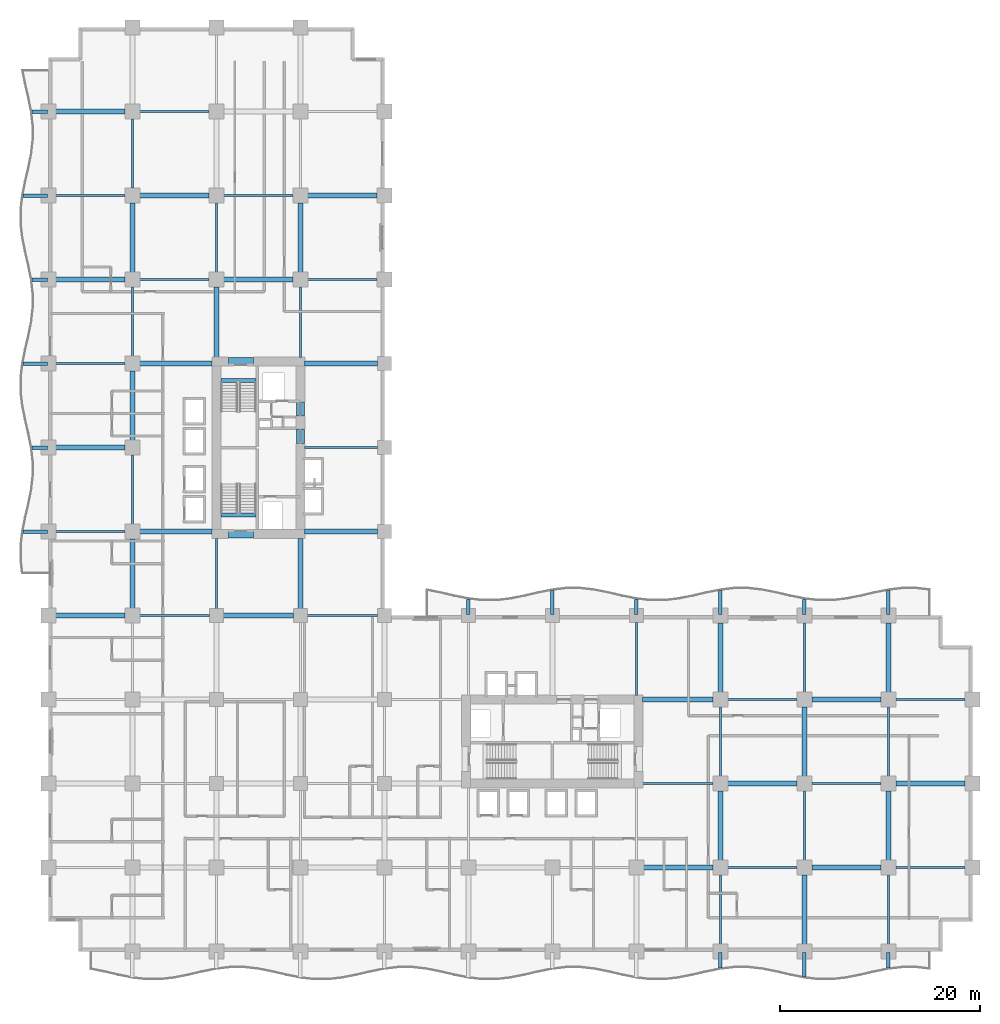
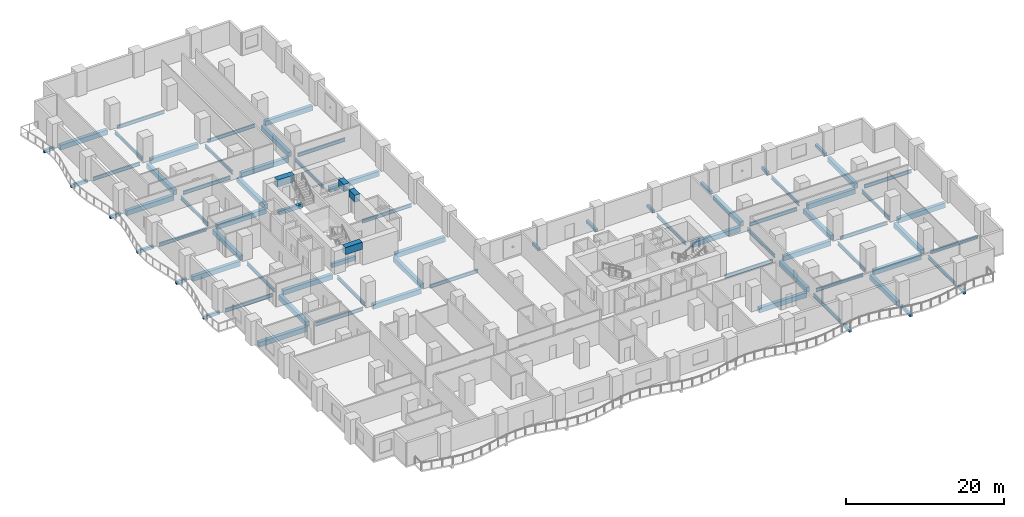
# One storey, part 2 of 20: 80 beams.
"""IFC4 building model written with IfcOpenShell, lengths in metres."""

from ifc_helpers import new_model, si_unit, direction, frame, origin, origin_2d, place, context, subcontext, project, spatial, rectangle, i_section, extrude, material, material_profile, profile_set, type_object, element, save


model = new_model("IFC4")

# Units and contexts
model_context = context("Model", 3, precision=1e-05, world=origin(), true_north=direction((0.0, 1.0)))
body_context = subcontext(model_context, "Body", "Model", "MODEL_VIEW")
ifc_project = project(units=[si_unit("LENGTHUNIT", "METRE"), si_unit("AREAUNIT", "SQUARE_METRE"), si_unit("VOLUMEUNIT", "CUBIC_METRE"), si_unit("PLANEANGLEUNIT", "RADIAN"), si_unit("MASSUNIT", "GRAM", prefix="KILO")], contexts=[model_context])

# Site, building, storey
site_placement = place(None, origin())
site = spatial("IfcSite", under=ifc_project, at=site_placement, CompositionType="ELEMENT")
building_placement = place(site_placement, origin())
building = spatial("IfcBuilding", under=site, at=building_placement, Name="Koriwani Terraces Tower", CompositionType="ELEMENT")
storey_placement = place(building_placement, frame((0.0, 0.0, 73.800048828125)))
storey = spatial("IfcBuildingStorey", under=building, at=storey_placement, Name="L17", CompositionType="ELEMENT", Elevation=73.800048828125)

# Beams
ifc_material_1 = material(Name="Concrete C40/50", Category="concrete")
ifc_material_profile_1 = material_profile(ifc_material_1, rectangle(XDim=0.35009765625, YDim=0.449951171875, at=origin_2d()), Name="Concrete C40/50", Category="LoadBearing")
ifc_profile_set_1 = profile_set([ifc_material_profile_1], Name="Concrete C40/50")
beam_type_1 = type_object("IfcBeamType", Name="BEAM_RC_BALCONY_RIB_350X450", PredefinedType="JOIST", material=ifc_profile_set_1)
beam_1_placement = place(storey_placement, frame((67.199951171875, -1.633056640625, -0.47509765625), z_axis=(0.0, 1.0, 0.0), x_axis=(-1.0, 0.0, 0.0)))
element("IfcBeam", 1, at=beam_1_placement, inside=storey, type_object=beam_type_1, Name="L17 Balcony Bracket Rib S-8", PredefinedType="JOIST", context=body_context, shape_type="SweptSolid", body=[
    extrude(rectangle(XDim=0.35009765625, YDim=0.449951171875, at=origin_2d()), origin(), (0.0, 0.0, 1.0), 1.532958984375),
])
beam_2_placement = place(storey_placement, frame((75.60009765625, -2.516845703125, -0.47509765625), z_axis=(0.0, 1.0, 0.0), x_axis=(-1.0, 0.0, 0.0)))
element("IfcBeam", 2, at=beam_2_placement, inside=storey, type_object=beam_type_1, Name="L17 Balcony Bracket Rib S-9", PredefinedType="JOIST", context=body_context, shape_type="SweptSolid", body=[
    extrude(rectangle(XDim=0.35009765625, YDim=0.449951171875, at=origin_2d()), origin(), (0.0, 0.0, 1.0), 2.416748046875),
])
beam_3_placement = place(storey_placement, frame((84.0, -1.633056640625, -0.47509765625), z_axis=(0.0, 1.0, 0.0), x_axis=(-1.0, 0.0, 0.0)))
element("IfcBeam", 3, at=beam_3_placement, inside=storey, type_object=beam_type_1, Name="L17 Balcony Bracket Rib S-10", PredefinedType="JOIST", context=body_context, shape_type="SweptSolid", body=[
    extrude(rectangle(XDim=0.35009765625, YDim=0.449951171875, at=origin_2d()), origin(), (0.0, 0.0, 1.0), 1.532958984375),
])
beam_4_placement = place(storey_placement, frame((-2.516845703125, 42.0, -0.47509765625), z_axis=(1.0, 0.0, 0.0), x_axis=(0.0, 1.0, 0.0)))
element("IfcBeam", 4, at=beam_4_placement, inside=storey, type_object=beam_type_1, Name="L17 Balcony Bracket Rib W-1", PredefinedType="JOIST", context=body_context, shape_type="SweptSolid", body=[
    extrude(rectangle(XDim=0.35009765625, YDim=0.449951171875, at=origin_2d()), origin(), (0.0, 0.0, 1.0), 2.416748046875),
])
beam_5_placement = place(storey_placement, frame((-1.633056640625, 50.39990234375, -0.47509765625), z_axis=(1.0, 0.0, 0.0), x_axis=(0.0, 1.0, 0.0)))
element("IfcBeam", 5, at=beam_5_placement, inside=storey, type_object=beam_type_1, Name="L17 Balcony Bracket Rib W-2", PredefinedType="JOIST", context=body_context, shape_type="SweptSolid", body=[
    extrude(rectangle(XDim=0.35009765625, YDim=0.449951171875, at=origin_2d()), origin(), (0.0, 0.0, 1.0), 1.532958984375),
])
beam_6_placement = place(storey_placement, frame((-2.516845703125, 58.800048828125, -0.47509765625), z_axis=(1.0, 0.0, 0.0), x_axis=(0.0, 1.0, 0.0)))
element("IfcBeam", 6, at=beam_6_placement, inside=storey, type_object=beam_type_1, Name="L17 Balcony Bracket Rib W-3", PredefinedType="JOIST", context=body_context, shape_type="SweptSolid", body=[
    extrude(rectangle(XDim=0.35009765625, YDim=0.449951171875, at=origin_2d()), origin(), (0.0, 0.0, 1.0), 2.416748046875),
])
beam_7_placement = place(storey_placement, frame((-1.633056640625, 67.199951171875, -0.47509765625), z_axis=(1.0, 0.0, 0.0), x_axis=(0.0, 1.0, 0.0)))
element("IfcBeam", 7, at=beam_7_placement, inside=storey, type_object=beam_type_1, Name="L17 Balcony Bracket Rib W-4", PredefinedType="JOIST", context=body_context, shape_type="SweptSolid", body=[
    extrude(rectangle(XDim=0.35009765625, YDim=0.449951171875, at=origin_2d()), origin(), (0.0, 0.0, 1.0), 1.532958984375),
])
beam_8_placement = place(storey_placement, frame((-2.516845703125, 75.60009765625, -0.47509765625), z_axis=(1.0, 0.0, 0.0), x_axis=(0.0, 1.0, 0.0)))
element("IfcBeam", 8, at=beam_8_placement, inside=storey, type_object=beam_type_1, Name="L17 Balcony Bracket Rib W-5", PredefinedType="JOIST", context=body_context, shape_type="SweptSolid", body=[
    extrude(rectangle(XDim=0.35009765625, YDim=0.449951171875, at=origin_2d()), origin(), (0.0, 0.0, 1.0), 2.416748046875),
])
beam_9_placement = place(storey_placement, frame((-1.633056640625, 84.0, -0.47509765625), z_axis=(1.0, 0.0, 0.0), x_axis=(0.0, 1.0, 0.0)))
element("IfcBeam", 9, at=beam_9_placement, inside=storey, type_object=beam_type_1, Name="L17 Balcony Bracket Rib W-6", PredefinedType="JOIST", context=body_context, shape_type="SweptSolid", body=[
    extrude(rectangle(XDim=0.35009765625, YDim=0.449951171875, at=origin_2d()), origin(), (0.0, 0.0, 1.0), 1.532958984375),
])
beam_10_placement = place(storey_placement, frame((42.0, 33.699951171875, -0.47509765625), z_axis=(0.0, 1.0, 0.0), x_axis=(-1.0, 0.0, 0.0)))
element("IfcBeam", 10, at=beam_10_placement, inside=storey, type_object=beam_type_1, Name="L17 Balcony Bracket Rib NE-1", PredefinedType="JOIST", context=body_context, shape_type="SweptSolid", body=[
    extrude(rectangle(XDim=0.35009765625, YDim=0.449951171875, at=origin_2d()), origin(), (0.0, 0.0, 1.0), 1.533203125),
])
beam_11_placement = place(storey_placement, frame((50.39990234375, 33.699951171875, -0.47509765625), z_axis=(0.0, 1.0, 0.0), x_axis=(-1.0, 0.0, 0.0)))
element("IfcBeam", 11, at=beam_11_placement, inside=storey, type_object=beam_type_1, Name="L17 Balcony Bracket Rib NE-2", PredefinedType="JOIST", context=body_context, shape_type="SweptSolid", body=[
    extrude(rectangle(XDim=0.35009765625, YDim=0.449951171875, at=origin_2d()), origin(), (0.0, 0.0, 1.0), 2.4169921875),
])
beam_12_placement = place(storey_placement, frame((58.800048828125, 33.699951171875, -0.47509765625), z_axis=(0.0, 1.0, 0.0), x_axis=(-1.0, 0.0, 0.0)))
element("IfcBeam", 12, at=beam_12_placement, inside=storey, type_object=beam_type_1, Name="L17 Balcony Bracket Rib NE-3", PredefinedType="JOIST", context=body_context, shape_type="SweptSolid", body=[
    extrude(rectangle(XDim=0.35009765625, YDim=0.449951171875, at=origin_2d()), origin(), (0.0, 0.0, 1.0), 1.533203125),
])
beam_13_placement = place(storey_placement, frame((67.199951171875, 33.699951171875, -0.47509765625), z_axis=(0.0, 1.0, 0.0), x_axis=(-1.0, 0.0, 0.0)))
element("IfcBeam", 13, at=beam_13_placement, inside=storey, type_object=beam_type_1, Name="L17 Balcony Bracket Rib NE-4", PredefinedType="JOIST", context=body_context, shape_type="SweptSolid", body=[
    extrude(rectangle(XDim=0.35009765625, YDim=0.449951171875, at=origin_2d()), origin(), (0.0, 0.0, 1.0), 2.4169921875),
])
beam_14_placement = place(storey_placement, frame((75.60009765625, 33.699951171875, -0.47509765625), z_axis=(0.0, 1.0, 0.0), x_axis=(-1.0, 0.0, 0.0)))
element("IfcBeam", 14, at=beam_14_placement, inside=storey, type_object=beam_type_1, Name="L17 Balcony Bracket Rib NE-5", PredefinedType="JOIST", context=body_context, shape_type="SweptSolid", body=[
    extrude(rectangle(XDim=0.35009765625, YDim=0.449951171875, at=origin_2d()), origin(), (0.0, 0.0, 1.0), 1.533203125),
])
beam_15_placement = place(storey_placement, frame((84.0, 33.699951171875, -0.47509765625), z_axis=(0.0, 1.0, 0.0), x_axis=(-1.0, 0.0, 0.0)))
element("IfcBeam", 15, at=beam_15_placement, inside=storey, type_object=beam_type_1, Name="L17 Balcony Bracket Rib NE-6", PredefinedType="JOIST", context=body_context, shape_type="SweptSolid", body=[
    extrude(rectangle(XDim=0.35009765625, YDim=0.449951171875, at=origin_2d()), origin(), (0.0, 0.0, 1.0), 2.4169921875),
])
ifc_material_2 = material(Name="Concrete C60/75", Category="concrete")
ifc_material_profile_2 = material_profile(ifc_material_2, rectangle(XDim=0.800048828125, YDim=1.10009765625, at=origin_2d()), Name="Concrete C60/75", Category="LoadBearing")
ifc_profile_set_2 = profile_set([ifc_material_profile_2], Name="Concrete C60/75")
beam_type_2 = type_object("IfcBeamType", Name="BEAM_RC_COUPLING_800X1100", PredefinedType="LINTEL", material=ifc_profile_set_2)
beam_16_placement = place(storey_placement, frame((25.199951171875, 50.800048828125, 3.0), z_axis=(0.0, 1.0, 0.0), x_axis=(-1.0, 0.0, 0.0)))
element("IfcBeam", 16, at=beam_16_placement, inside=storey, type_object=beam_type_2, Name="L17 Core Coupling Lintel Beam WE1", PredefinedType="LINTEL", context=body_context, shape_type="SweptSolid", body=[
    extrude(rectangle(XDim=0.800048828125, YDim=1.10009765625, at=origin_2d()), origin(), (0.0, 0.0, 1.0), 1.47998046875),
])
beam_17_placement = place(storey_placement, frame((25.199951171875, 53.550048828125, 3.0), z_axis=(0.0, 1.0, 0.0), x_axis=(-1.0, 0.0, 0.0)))
element("IfcBeam", 17, at=beam_17_placement, inside=storey, type_object=beam_type_2, Name="L17 Core Coupling Lintel Beam WE2", PredefinedType="LINTEL", context=body_context, shape_type="SweptSolid", body=[
    extrude(rectangle(XDim=0.800048828125, YDim=1.10009765625, at=origin_2d()), origin(), (0.0, 0.0, 1.0), 1.39990234375),
])
for number, where, z_axis, x_axis, name in (
    (18, (18.0, 41.75, 3.0), (1.0, 0.0, 0.0), (0.0, 1.0, 0.0), "L17 Core Coupling Lintel Beam WS"),
    (19, (18.0, 59.0, 3.0), (1.0, 0.0, 0.0), (0.0, 1.0, 0.0), "L17 Core Coupling Lintel Beam WN"),
):
    element("IfcBeam", number, at=place(storey_placement, frame(where, z_axis=z_axis, x_axis=x_axis)), inside=storey, type_object=beam_type_2, Name=name, PredefinedType="LINTEL", context=body_context, shape_type="SweptSolid", body=[
        extrude(rectangle(XDim=0.800048828125, YDim=1.10009765625, at=origin_2d()), origin(), (0.0, 0.0, 1.0), 2.5),
    ])
ifc_material_profile_3 = material_profile(ifc_material_1, rectangle(XDim=0.39990234375, YDim=0.60009765625, at=origin_2d()), Name="Concrete C40/50", Category="LoadBearing")
ifc_profile_set_3 = profile_set([ifc_material_profile_3], Name="Concrete C40/50")
beam_type_3 = type_object("IfcBeamType", Name="BEAM_RC_GRID_400X600", PredefinedType="BEAM", material=ifc_profile_set_3)
for number, where, z_axis, x_axis, name in (
    (20, (17.25, 43.655029296875, -0.300048828125), (1.0, 0.0, 0.0), (0.0, 1.0, 0.0), "L17 Stairwell Header Trimmer Beam ST-W1"),
    (21, (17.25, 57.094970703125, -0.300048828125), (1.0, 0.0, 0.0), (0.0, 1.0, 0.0), "L17 Stairwell Header Trimmer Beam ST-W2"),
):
    element("IfcBeam", number, at=place(storey_placement, frame(where, z_axis=z_axis, x_axis=x_axis)), inside=storey, type_object=beam_type_3, Name=name, PredefinedType="BEAM", context=body_context, shape_type="SweptSolid", body=[
        extrude(rectangle(XDim=0.39990234375, YDim=0.60009765625, at=origin_2d()), origin(), (0.0, 0.0, 1.0), 3.5),
    ])
ifc_material_3 = material(Name="Concrete C50/60", Category="concrete")
ifc_material_profile_4 = material_profile(ifc_material_3, rectangle(XDim=0.5, YDim=0.75, at=origin_2d()), Name="Concrete C50/60", Category="LoadBearing")
ifc_profile_set_4 = profile_set([ifc_material_profile_4], Name="Concrete C50/60")
beam_type_4 = type_object("IfcBeamType", Name="BEAM_RC_GRID_500X750", PredefinedType="BEAM", material=ifc_profile_set_4)
for number, where, z_axis, x_axis, name in (
    (22, (59.530029296875, 8.39990234375, -0.625), (1.0, 0.0, 0.0), (0.0, 1.0, 0.0), "L17 Grid Beam B (58.8-67.2m)"),
    (23, (76.330078125, 8.39990234375, -0.625), (1.0, 0.0, 0.0), (0.0, 1.0, 0.0), "L17 Grid Beam B (75.6-84.0m)"),
):
    element("IfcBeam", number, at=place(storey_placement, frame(where, z_axis=z_axis, x_axis=x_axis)), inside=storey, type_object=beam_type_4, Name=name, PredefinedType="BEAM", context=body_context, shape_type="SweptSolid", body=[
        extrude(rectangle(XDim=0.5, YDim=0.75, at=origin_2d()), origin(), (0.0, 0.0, 1.0), 6.93994140625),
    ])
beam_18_placement = place(storey_placement, frame((67.929931640625, 16.800048828125, -0.625), z_axis=(1.0, 0.0, 0.0), x_axis=(0.0, 1.0, 0.0)))
element("IfcBeam", 24, at=beam_18_placement, inside=storey, type_object=beam_type_4, Name="L17 Grid Beam C (67.2-75.6m)", PredefinedType="BEAM", context=body_context, shape_type="SweptSolid", body=[
    extrude(rectangle(XDim=0.5, YDim=0.75, at=origin_2d()), origin(), (0.0, 0.0, 1.0), 6.940185546875),
])
beam_19_placement = place(storey_placement, frame((84.72998046875, 16.800048828125, -0.625), z_axis=(1.0, 0.0, 0.0), x_axis=(0.0, 1.0, 0.0)))
element("IfcBeam", 25, at=beam_19_placement, inside=storey, type_object=beam_type_4, Name="L17 Grid Beam C (84.0-92.4m)", PredefinedType="BEAM", context=body_context, shape_type="SweptSolid", body=[
    extrude(rectangle(XDim=0.5, YDim=0.75, at=origin_2d()), origin(), (0.0, 0.0, 1.0), 6.93994140625),
])
beam_20_placement = place(storey_placement, frame((59.429931640625, 25.199951171875, -0.625), z_axis=(1.0, 0.0, 0.0), x_axis=(0.0, 1.0, 0.0)))
element("IfcBeam", 26, at=beam_20_placement, inside=storey, type_object=beam_type_4, Name="L17 Grid Beam D (58.8-67.2m)", PredefinedType="BEAM", context=body_context, shape_type="SweptSolid", body=[
    extrude(rectangle(XDim=0.5, YDim=0.75, at=origin_2d()), origin(), (0.0, 0.0, 1.0), 7.0400390625),
])
for number, where, z_axis, x_axis, name in (
    (27, (76.330078125, 25.199951171875, -0.625), (1.0, 0.0, 0.0), (0.0, 1.0, 0.0), "L17 Grid Beam D (75.6-84.0m)"),
    (28, (0.72998046875, 33.60009765625, -0.625), (1.0, 0.0, 0.0), (0.0, 1.0, 0.0), "L17 Grid Beam E (0.0-8.4m)"),
):
    element("IfcBeam", number, at=place(storey_placement, frame(where, z_axis=z_axis, x_axis=x_axis)), inside=storey, type_object=beam_type_4, Name=name, PredefinedType="BEAM", context=body_context, shape_type="SweptSolid", body=[
        extrude(rectangle(XDim=0.5, YDim=0.75, at=origin_2d()), origin(), (0.0, 0.0, 1.0), 6.93994140625),
    ])
beam_21_placement = place(storey_placement, frame((17.47998046875, 33.60009765625, -0.625), z_axis=(1.0, 0.0, 0.0), x_axis=(0.0, 1.0, 0.0)))
element("IfcBeam", 29, at=beam_21_placement, inside=storey, type_object=beam_type_4, Name="L17 Grid Beam E (16.8-25.2m)", PredefinedType="BEAM", context=body_context, shape_type="SweptSolid", body=[
    extrude(rectangle(XDim=0.5, YDim=0.75, at=origin_2d()), origin(), (0.0, 0.0, 1.0), 7.0400390625),
])
beam_22_placement = place(storey_placement, frame((9.1298828125, 42.0, -0.625), z_axis=(1.0, 0.0, 0.0), x_axis=(0.0, 1.0, 0.0)))
element("IfcBeam", 30, at=beam_22_placement, inside=storey, type_object=beam_type_4, Name="L17 Grid Beam F (8.4-16.8m)", PredefinedType="BEAM", context=body_context, shape_type="SweptSolid", body=[
    extrude(rectangle(XDim=0.5, YDim=0.75, at=origin_2d()), origin(), (0.0, 0.0, 1.0), 7.240234375),
])
beam_23_placement = place(storey_placement, frame((25.6298828125, 42.0, -0.625), z_axis=(1.0, 0.0, 0.0), x_axis=(0.0, 1.0, 0.0)))
element("IfcBeam", 31, at=beam_23_placement, inside=storey, type_object=beam_type_4, Name="L17 Grid Beam F (25.2-33.6m)", PredefinedType="BEAM", context=body_context, shape_type="SweptSolid", body=[
    extrude(rectangle(XDim=0.5, YDim=0.75, at=origin_2d()), origin(), (0.0, 0.0, 1.0), 7.2900390625),
])
beam_24_placement = place(storey_placement, frame((0.72998046875, 50.39990234375, -0.625), z_axis=(1.0, 0.0, 0.0), x_axis=(0.0, 1.0, 0.0)))
element("IfcBeam", 32, at=beam_24_placement, inside=storey, type_object=beam_type_4, Name="L17 Grid Beam G (0.0-8.4m)", PredefinedType="BEAM", context=body_context, shape_type="SweptSolid", body=[
    extrude(rectangle(XDim=0.5, YDim=0.75, at=origin_2d()), origin(), (0.0, 0.0, 1.0), 6.93994140625),
])
beam_25_placement = place(storey_placement, frame((9.1298828125, 58.800048828125, -0.625), z_axis=(1.0, 0.0, 0.0), x_axis=(0.0, 1.0, 0.0)))
element("IfcBeam", 33, at=beam_25_placement, inside=storey, type_object=beam_type_4, Name="L17 Grid Beam H (8.4-16.8m)", PredefinedType="BEAM", context=body_context, shape_type="SweptSolid", body=[
    extrude(rectangle(XDim=0.5, YDim=0.75, at=origin_2d()), origin(), (0.0, 0.0, 1.0), 7.240234375),
])
beam_26_placement = place(storey_placement, frame((25.6298828125, 58.800048828125, -0.625), z_axis=(1.0, 0.0, 0.0), x_axis=(0.0, 1.0, 0.0)))
element("IfcBeam", 34, at=beam_26_placement, inside=storey, type_object=beam_type_4, Name="L17 Grid Beam H (25.2-33.6m)", PredefinedType="BEAM", context=body_context, shape_type="SweptSolid", body=[
    extrude(rectangle(XDim=0.5, YDim=0.75, at=origin_2d()), origin(), (0.0, 0.0, 1.0), 7.2900390625),
])
for number, where, z_axis, x_axis, name in (
    (35, (0.72998046875, 67.199951171875, -0.625), (1.0, 0.0, 0.0), (0.0, 1.0, 0.0), "L17 Grid Beam I (0.0-8.4m)"),
    (36, (17.530029296875, 67.199951171875, -0.625), (1.0, 0.0, 0.0), (0.0, 1.0, 0.0), "L17 Grid Beam I (16.8-25.2m)"),
):
    element("IfcBeam", number, at=place(storey_placement, frame(where, z_axis=z_axis, x_axis=x_axis)), inside=storey, type_object=beam_type_4, Name=name, PredefinedType="BEAM", context=body_context, shape_type="SweptSolid", body=[
        extrude(rectangle(XDim=0.5, YDim=0.75, at=origin_2d()), origin(), (0.0, 0.0, 1.0), 6.93994140625),
    ])
for number, where, z_axis, x_axis, name in (
    (37, (9.1298828125, 75.60009765625, -0.625), (1.0, 0.0, 0.0), (0.0, 1.0, 0.0), "L17 Grid Beam J (8.4-16.8m)"),
    (38, (25.929931640625, 75.60009765625, -0.625), (1.0, 0.0, 0.0), (0.0, 1.0, 0.0), "L17 Grid Beam J (25.2-33.6m)"),
):
    element("IfcBeam", number, at=place(storey_placement, frame(where, z_axis=z_axis, x_axis=x_axis)), inside=storey, type_object=beam_type_4, Name=name, PredefinedType="BEAM", context=body_context, shape_type="SweptSolid", body=[
        extrude(rectangle(XDim=0.5, YDim=0.75, at=origin_2d()), origin(), (0.0, 0.0, 1.0), 6.940185546875),
    ])
for number, where, z_axis, x_axis, name in (
    (39, (0.72998046875, 84.0, -0.625), (1.0, 0.0, 0.0), (0.0, 1.0, 0.0), "L17 Grid Beam K (0.0-8.4m)"),
    (40, (8.39990234375, 34.330078125, -0.625), (0.0, 1.0, 0.0), (-1.0, 0.0, 0.0), "L17 Grid Beam 2 (33.6-42.0m)"),
):
    element("IfcBeam", number, at=place(storey_placement, frame(where, z_axis=z_axis, x_axis=x_axis)), inside=storey, type_object=beam_type_4, Name=name, PredefinedType="BEAM", context=body_context, shape_type="SweptSolid", body=[
        extrude(rectangle(XDim=0.5, YDim=0.75, at=origin_2d()), origin(), (0.0, 0.0, 1.0), 6.93994140625),
    ])
for number, where, z_axis, x_axis, name in (
    (41, (8.39990234375, 51.1298828125, -0.625), (0.0, 1.0, 0.0), (-1.0, 0.0, 0.0), "L17 Grid Beam 2 (50.4-58.8m)"),
    (42, (8.39990234375, 67.929931640625, -0.625), (0.0, 1.0, 0.0), (-1.0, 0.0, 0.0), "L17 Grid Beam 2 (67.2-75.6m)"),
):
    element("IfcBeam", number, at=place(storey_placement, frame(where, z_axis=z_axis, x_axis=x_axis)), inside=storey, type_object=beam_type_4, Name=name, PredefinedType="BEAM", context=body_context, shape_type="SweptSolid", body=[
        extrude(rectangle(XDim=0.5, YDim=0.75, at=origin_2d()), origin(), (0.0, 0.0, 1.0), 6.940185546875),
    ])
for number, where, z_axis, x_axis, name in (
    (43, (16.800048828125, 59.429931640625, -0.625), (0.0, 1.0, 0.0), (-1.0, 0.0, 0.0), "L17 Grid Beam 3 (58.8-67.2m)"),
    (44, (25.199951171875, 34.280029296875, -0.625), (0.0, 1.0, 0.0), (-1.0, 0.0, 0.0), "L17 Grid Beam 4 (33.6-42.0m)"),
):
    element("IfcBeam", number, at=place(storey_placement, frame(where, z_axis=z_axis, x_axis=x_axis)), inside=storey, type_object=beam_type_4, Name=name, PredefinedType="BEAM", context=body_context, shape_type="SweptSolid", body=[
        extrude(rectangle(XDim=0.5, YDim=0.75, at=origin_2d()), origin(), (0.0, 0.0, 1.0), 7.0400390625),
    ])
for number, where, z_axis, x_axis, name in (
    (45, (25.199951171875, 67.929931640625, -0.625), (0.0, 1.0, 0.0), (-1.0, 0.0, 0.0), "L17 Grid Beam 4 (67.2-75.6m)"),
    (46, (67.199951171875, 9.1298828125, -0.625), (0.0, 1.0, 0.0), (-1.0, 0.0, 0.0), "L17 Grid Beam 9 (8.4-16.8m)"),
    (47, (67.199951171875, 25.929931640625, -0.625), (0.0, 1.0, 0.0), (-1.0, 0.0, 0.0), "L17 Grid Beam 9 (25.2-33.6m)"),
):
    element("IfcBeam", number, at=place(storey_placement, frame(where, z_axis=z_axis, x_axis=x_axis)), inside=storey, type_object=beam_type_4, Name=name, PredefinedType="BEAM", context=body_context, shape_type="SweptSolid", body=[
        extrude(rectangle(XDim=0.5, YDim=0.75, at=origin_2d()), origin(), (0.0, 0.0, 1.0), 6.940185546875),
    ])
for number, where, z_axis, x_axis, name in (
    (48, (75.60009765625, 0.72998046875, -0.625), (0.0, 1.0, 0.0), (-1.0, 0.0, 0.0), "L17 Grid Beam 10 (0.0-8.4m)"),
    (49, (75.60009765625, 17.530029296875, -0.625), (0.0, 1.0, 0.0), (-1.0, 0.0, 0.0), "L17 Grid Beam 10 (16.8-25.2m)"),
):
    element("IfcBeam", number, at=place(storey_placement, frame(where, z_axis=z_axis, x_axis=x_axis)), inside=storey, type_object=beam_type_4, Name=name, PredefinedType="BEAM", context=body_context, shape_type="SweptSolid", body=[
        extrude(rectangle(XDim=0.5, YDim=0.75, at=origin_2d()), origin(), (0.0, 0.0, 1.0), 6.93994140625),
    ])
for number, where, z_axis, x_axis, name in (
    (50, (84.0, 9.1298828125, -0.625), (0.0, 1.0, 0.0), (-1.0, 0.0, 0.0), "L17 Grid Beam 11 (8.4-16.8m)"),
    (51, (84.0, 25.929931640625, -0.625), (0.0, 1.0, 0.0), (-1.0, 0.0, 0.0), "L17 Grid Beam 11 (25.2-33.6m)"),
):
    element("IfcBeam", number, at=place(storey_placement, frame(where, z_axis=z_axis, x_axis=x_axis)), inside=storey, type_object=beam_type_4, Name=name, PredefinedType="BEAM", context=body_context, shape_type="SweptSolid", body=[
        extrude(rectangle(XDim=0.5, YDim=0.75, at=origin_2d()), origin(), (0.0, 0.0, 1.0), 6.940185546875),
    ])
ifc_material_4 = material(Name="Steel ASTM A572 Grade 50", Category="steel")
ifc_material_profile_5 = material_profile(ifc_material_4, i_section(OverallWidth=0.2109375, OverallDepth=0.5390625, WebThickness=0.01171875, FlangeThickness=0.018798828125, at=origin_2d()), Name="Steel ASTM A572 Grade 50", Category="LoadBearing")
ifc_profile_set_5 = profile_set([ifc_material_profile_5], Name="Steel ASTM A572 Grade 50")
beam_type_5 = type_object("IfcBeamType", Name="STEEL_BEAM_W530X109", PredefinedType="BEAM", material=ifc_profile_set_5)
beam_27_placement = place(storey_placement, frame((67.929931640625, 8.39990234375, -0.51953125), z_axis=(1.0, 0.0, 0.0), x_axis=(0.0, 1.0, 0.0)))
element("IfcBeam", 52, at=beam_27_placement, inside=storey, type_object=beam_type_5, Name="L17 Grid Beam B (67.2-75.6m)", PredefinedType="BEAM", context=body_context, shape_type="SweptSolid", body=[
    extrude(i_section(OverallWidth=0.2109375, OverallDepth=0.5390625, WebThickness=0.01171875, FlangeThickness=0.018798828125, at=origin_2d()), origin(), (0.0, 0.0, 1.0), 6.940185546875),
])
beam_28_placement = place(storey_placement, frame((84.72998046875, 8.39990234375, -0.51953125), z_axis=(1.0, 0.0, 0.0), x_axis=(0.0, 1.0, 0.0)))
element("IfcBeam", 53, at=beam_28_placement, inside=storey, type_object=beam_type_5, Name="L17 Grid Beam B (84.0-92.4m)", PredefinedType="BEAM", context=body_context, shape_type="SweptSolid", body=[
    extrude(i_section(OverallWidth=0.2109375, OverallDepth=0.5390625, WebThickness=0.01171875, FlangeThickness=0.018798828125, at=origin_2d()), origin(), (0.0, 0.0, 1.0), 6.93994140625),
])
beam_29_placement = place(storey_placement, frame((59.429931640625, 16.800048828125, -0.51953125), z_axis=(1.0, 0.0, 0.0), x_axis=(0.0, 1.0, 0.0)))
element("IfcBeam", 54, at=beam_29_placement, inside=storey, type_object=beam_type_5, Name="L17 Grid Beam C (58.8-67.2m)", PredefinedType="BEAM", context=body_context, shape_type="SweptSolid", body=[
    extrude(i_section(OverallWidth=0.2109375, OverallDepth=0.5390625, WebThickness=0.01171875, FlangeThickness=0.018798828125, at=origin_2d()), origin(), (0.0, 0.0, 1.0), 7.0400390625),
])
beam_30_placement = place(storey_placement, frame((76.330078125, 16.800048828125, -0.51953125), z_axis=(1.0, 0.0, 0.0), x_axis=(0.0, 1.0, 0.0)))
element("IfcBeam", 55, at=beam_30_placement, inside=storey, type_object=beam_type_5, Name="L17 Grid Beam C (75.6-84.0m)", PredefinedType="BEAM", context=body_context, shape_type="SweptSolid", body=[
    extrude(i_section(OverallWidth=0.2109375, OverallDepth=0.5390625, WebThickness=0.01171875, FlangeThickness=0.018798828125, at=origin_2d()), origin(), (0.0, 0.0, 1.0), 6.93994140625),
])
beam_31_placement = place(storey_placement, frame((67.929931640625, 25.199951171875, -0.51953125), z_axis=(1.0, 0.0, 0.0), x_axis=(0.0, 1.0, 0.0)))
element("IfcBeam", 56, at=beam_31_placement, inside=storey, type_object=beam_type_5, Name="L17 Grid Beam D (67.2-75.6m)", PredefinedType="BEAM", context=body_context, shape_type="SweptSolid", body=[
    extrude(i_section(OverallWidth=0.2109375, OverallDepth=0.5390625, WebThickness=0.01171875, FlangeThickness=0.018798828125, at=origin_2d()), origin(), (0.0, 0.0, 1.0), 6.940185546875),
])
beam_32_placement = place(storey_placement, frame((84.72998046875, 25.199951171875, -0.51953125), z_axis=(1.0, 0.0, 0.0), x_axis=(0.0, 1.0, 0.0)))
element("IfcBeam", 57, at=beam_32_placement, inside=storey, type_object=beam_type_5, Name="L17 Grid Beam D (84.0-92.4m)", PredefinedType="BEAM", context=body_context, shape_type="SweptSolid", body=[
    extrude(i_section(OverallWidth=0.2109375, OverallDepth=0.5390625, WebThickness=0.01171875, FlangeThickness=0.018798828125, at=origin_2d()), origin(), (0.0, 0.0, 1.0), 6.93994140625),
])
beam_33_placement = place(storey_placement, frame((9.1298828125, 33.60009765625, -0.51953125), z_axis=(1.0, 0.0, 0.0), x_axis=(0.0, 1.0, 0.0)))
element("IfcBeam", 58, at=beam_33_placement, inside=storey, type_object=beam_type_5, Name="L17 Grid Beam E (8.4-16.8m)", PredefinedType="BEAM", context=body_context, shape_type="SweptSolid", body=[
    extrude(i_section(OverallWidth=0.2109375, OverallDepth=0.5390625, WebThickness=0.01171875, FlangeThickness=0.018798828125, at=origin_2d()), origin(), (0.0, 0.0, 1.0), 6.990234375),
])
beam_34_placement = place(storey_placement, frame((25.8798828125, 33.60009765625, -0.51953125), z_axis=(1.0, 0.0, 0.0), x_axis=(0.0, 1.0, 0.0)))
element("IfcBeam", 59, at=beam_34_placement, inside=storey, type_object=beam_type_5, Name="L17 Grid Beam E (25.2-33.6m)", PredefinedType="BEAM", context=body_context, shape_type="SweptSolid", body=[
    extrude(i_section(OverallWidth=0.2109375, OverallDepth=0.5390625, WebThickness=0.01171875, FlangeThickness=0.018798828125, at=origin_2d()), origin(), (0.0, 0.0, 1.0), 7.0400390625),
])
beam_35_placement = place(storey_placement, frame((0.72998046875, 42.0, -0.51953125), z_axis=(1.0, 0.0, 0.0), x_axis=(0.0, 1.0, 0.0)))
element("IfcBeam", 60, at=beam_35_placement, inside=storey, type_object=beam_type_5, Name="L17 Grid Beam F (0.0-8.4m)", PredefinedType="BEAM", context=body_context, shape_type="SweptSolid", body=[
    extrude(i_section(OverallWidth=0.2109375, OverallDepth=0.5390625, WebThickness=0.01171875, FlangeThickness=0.018798828125, at=origin_2d()), origin(), (0.0, 0.0, 1.0), 6.93994140625),
])
beam_36_placement = place(storey_placement, frame((25.6298828125, 50.39990234375, -0.51953125), z_axis=(1.0, 0.0, 0.0), x_axis=(0.0, 1.0, 0.0)))
element("IfcBeam", 61, at=beam_36_placement, inside=storey, type_object=beam_type_5, Name="L17 Grid Beam G (25.2-33.6m)", PredefinedType="BEAM", context=body_context, shape_type="SweptSolid", body=[
    extrude(i_section(OverallWidth=0.2109375, OverallDepth=0.5390625, WebThickness=0.01171875, FlangeThickness=0.018798828125, at=origin_2d()), origin(), (0.0, 0.0, 1.0), 7.2900390625),
])
beam_37_placement = place(storey_placement, frame((0.72998046875, 58.800048828125, -0.51953125), z_axis=(1.0, 0.0, 0.0), x_axis=(0.0, 1.0, 0.0)))
element("IfcBeam", 62, at=beam_37_placement, inside=storey, type_object=beam_type_5, Name="L17 Grid Beam H (0.0-8.4m)", PredefinedType="BEAM", context=body_context, shape_type="SweptSolid", body=[
    extrude(i_section(OverallWidth=0.2109375, OverallDepth=0.5390625, WebThickness=0.01171875, FlangeThickness=0.018798828125, at=origin_2d()), origin(), (0.0, 0.0, 1.0), 6.93994140625),
])
for number, where, z_axis, x_axis, name in (
    (63, (9.1298828125, 67.199951171875, -0.51953125), (1.0, 0.0, 0.0), (0.0, 1.0, 0.0), "L17 Grid Beam I (8.4-16.8m)"),
    (64, (25.929931640625, 67.199951171875, -0.51953125), (1.0, 0.0, 0.0), (0.0, 1.0, 0.0), "L17 Grid Beam I (25.2-33.6m)"),
):
    element("IfcBeam", number, at=place(storey_placement, frame(where, z_axis=z_axis, x_axis=x_axis)), inside=storey, type_object=beam_type_5, Name=name, PredefinedType="BEAM", context=body_context, shape_type="SweptSolid", body=[
        extrude(i_section(OverallWidth=0.2109375, OverallDepth=0.5390625, WebThickness=0.01171875, FlangeThickness=0.018798828125, at=origin_2d()), origin(), (0.0, 0.0, 1.0), 6.940185546875),
    ])
for number, where, z_axis, x_axis, name in (
    (65, (0.72998046875, 75.60009765625, -0.51953125), (1.0, 0.0, 0.0), (0.0, 1.0, 0.0), "L17 Grid Beam J (0.0-8.4m)"),
    (66, (17.530029296875, 75.60009765625, -0.51953125), (1.0, 0.0, 0.0), (0.0, 1.0, 0.0), "L17 Grid Beam J (16.8-25.2m)"),
):
    element("IfcBeam", number, at=place(storey_placement, frame(where, z_axis=z_axis, x_axis=x_axis)), inside=storey, type_object=beam_type_5, Name=name, PredefinedType="BEAM", context=body_context, shape_type="SweptSolid", body=[
        extrude(i_section(OverallWidth=0.2109375, OverallDepth=0.5390625, WebThickness=0.01171875, FlangeThickness=0.018798828125, at=origin_2d()), origin(), (0.0, 0.0, 1.0), 6.93994140625),
    ])
beam_38_placement = place(storey_placement, frame((9.1298828125, 84.0, -0.51953125), z_axis=(1.0, 0.0, 0.0), x_axis=(0.0, 1.0, 0.0)))
element("IfcBeam", 67, at=beam_38_placement, inside=storey, type_object=beam_type_5, Name="L17 Grid Beam K (8.4-16.8m)", PredefinedType="BEAM", context=body_context, shape_type="SweptSolid", body=[
    extrude(i_section(OverallWidth=0.2109375, OverallDepth=0.5390625, WebThickness=0.01171875, FlangeThickness=0.018798828125, at=origin_2d()), origin(), (0.0, 0.0, 1.0), 6.940185546875),
])
for number, where, z_axis, x_axis, name in (
    (68, (8.39990234375, 42.72998046875, -0.51953125), (0.0, 1.0, 0.0), (-1.0, 0.0, 0.0), "L17 Grid Beam 2 (42.0-50.4m)"),
    (69, (8.39990234375, 59.530029296875, -0.51953125), (0.0, 1.0, 0.0), (-1.0, 0.0, 0.0), "L17 Grid Beam 2 (58.8-67.2m)"),
    (70, (8.39990234375, 76.330078125, -0.51953125), (0.0, 1.0, 0.0), (-1.0, 0.0, 0.0), "L17 Grid Beam 2 (75.6-84.0m)"),
):
    element("IfcBeam", number, at=place(storey_placement, frame(where, z_axis=z_axis, x_axis=x_axis)), inside=storey, type_object=beam_type_5, Name=name, PredefinedType="BEAM", context=body_context, shape_type="SweptSolid", body=[
        extrude(i_section(OverallWidth=0.2109375, OverallDepth=0.5390625, WebThickness=0.01171875, FlangeThickness=0.018798828125, at=origin_2d()), origin(), (0.0, 0.0, 1.0), 6.93994140625),
    ])
beam_39_placement = place(storey_placement, frame((16.800048828125, 34.280029296875, -0.51953125), z_axis=(0.0, 1.0, 0.0), x_axis=(-1.0, 0.0, 0.0)))
element("IfcBeam", 71, at=beam_39_placement, inside=storey, type_object=beam_type_5, Name="L17 Grid Beam 3 (33.6-42.0m)", PredefinedType="BEAM", context=body_context, shape_type="SweptSolid", body=[
    extrude(i_section(OverallWidth=0.2109375, OverallDepth=0.5390625, WebThickness=0.01171875, FlangeThickness=0.018798828125, at=origin_2d()), origin(), (0.0, 0.0, 1.0), 7.0400390625),
])
beam_40_placement = place(storey_placement, frame((16.800048828125, 67.929931640625, -0.51953125), z_axis=(0.0, 1.0, 0.0), x_axis=(-1.0, 0.0, 0.0)))
element("IfcBeam", 72, at=beam_40_placement, inside=storey, type_object=beam_type_5, Name="L17 Grid Beam 3 (67.2-75.6m)", PredefinedType="BEAM", context=body_context, shape_type="SweptSolid", body=[
    extrude(i_section(OverallWidth=0.2109375, OverallDepth=0.5390625, WebThickness=0.01171875, FlangeThickness=0.018798828125, at=origin_2d()), origin(), (0.0, 0.0, 1.0), 6.940185546875),
])
beam_41_placement = place(storey_placement, frame((25.199951171875, 59.429931640625, -0.51953125), z_axis=(0.0, 1.0, 0.0), x_axis=(-1.0, 0.0, 0.0)))
element("IfcBeam", 73, at=beam_41_placement, inside=storey, type_object=beam_type_5, Name="L17 Grid Beam 4 (58.8-67.2m)", PredefinedType="BEAM", context=body_context, shape_type="SweptSolid", body=[
    extrude(i_section(OverallWidth=0.2109375, OverallDepth=0.5390625, WebThickness=0.01171875, FlangeThickness=0.018798828125, at=origin_2d()), origin(), (0.0, 0.0, 1.0), 7.0400390625),
])
beam_42_placement = place(storey_placement, frame((58.800048828125, 25.6298828125, -0.51953125), z_axis=(0.0, 1.0, 0.0), x_axis=(-1.0, 0.0, 0.0)))
element("IfcBeam", 74, at=beam_42_placement, inside=storey, type_object=beam_type_5, Name="L17 Grid Beam 8 (25.2-33.6m)", PredefinedType="BEAM", context=body_context, shape_type="SweptSolid", body=[
    extrude(i_section(OverallWidth=0.2109375, OverallDepth=0.5390625, WebThickness=0.01171875, FlangeThickness=0.018798828125, at=origin_2d()), origin(), (0.0, 0.0, 1.0), 7.2900390625),
])
for number, where, z_axis, x_axis, name in (
    (75, (67.199951171875, 0.72998046875, -0.51953125), (0.0, 1.0, 0.0), (-1.0, 0.0, 0.0), "L17 Grid Beam 9 (0.0-8.4m)"),
    (76, (67.199951171875, 17.530029296875, -0.51953125), (0.0, 1.0, 0.0), (-1.0, 0.0, 0.0), "L17 Grid Beam 9 (16.8-25.2m)"),
):
    element("IfcBeam", number, at=place(storey_placement, frame(where, z_axis=z_axis, x_axis=x_axis)), inside=storey, type_object=beam_type_5, Name=name, PredefinedType="BEAM", context=body_context, shape_type="SweptSolid", body=[
        extrude(i_section(OverallWidth=0.2109375, OverallDepth=0.5390625, WebThickness=0.01171875, FlangeThickness=0.018798828125, at=origin_2d()), origin(), (0.0, 0.0, 1.0), 6.93994140625),
    ])
for number, where, z_axis, x_axis, name in (
    (77, (75.60009765625, 9.1298828125, -0.51953125), (0.0, 1.0, 0.0), (-1.0, 0.0, 0.0), "L17 Grid Beam 10 (8.4-16.8m)"),
    (78, (75.60009765625, 25.929931640625, -0.51953125), (0.0, 1.0, 0.0), (-1.0, 0.0, 0.0), "L17 Grid Beam 10 (25.2-33.6m)"),
):
    element("IfcBeam", number, at=place(storey_placement, frame(where, z_axis=z_axis, x_axis=x_axis)), inside=storey, type_object=beam_type_5, Name=name, PredefinedType="BEAM", context=body_context, shape_type="SweptSolid", body=[
        extrude(i_section(OverallWidth=0.2109375, OverallDepth=0.5390625, WebThickness=0.01171875, FlangeThickness=0.018798828125, at=origin_2d()), origin(), (0.0, 0.0, 1.0), 6.940185546875),
    ])
for number, where, z_axis, x_axis, name in (
    (79, (84.0, 0.72998046875, -0.51953125), (0.0, 1.0, 0.0), (-1.0, 0.0, 0.0), "L17 Grid Beam 11 (0.0-8.4m)"),
    (80, (84.0, 17.530029296875, -0.51953125), (0.0, 1.0, 0.0), (-1.0, 0.0, 0.0), "L17 Grid Beam 11 (16.8-25.2m)"),
):
    element("IfcBeam", number, at=place(storey_placement, frame(where, z_axis=z_axis, x_axis=x_axis)), inside=storey, type_object=beam_type_5, Name=name, PredefinedType="BEAM", context=body_context, shape_type="SweptSolid", body=[
        extrude(i_section(OverallWidth=0.2109375, OverallDepth=0.5390625, WebThickness=0.01171875, FlangeThickness=0.018798828125, at=origin_2d()), origin(), (0.0, 0.0, 1.0), 6.93994140625),
    ])

save(model, "model.ifc")
